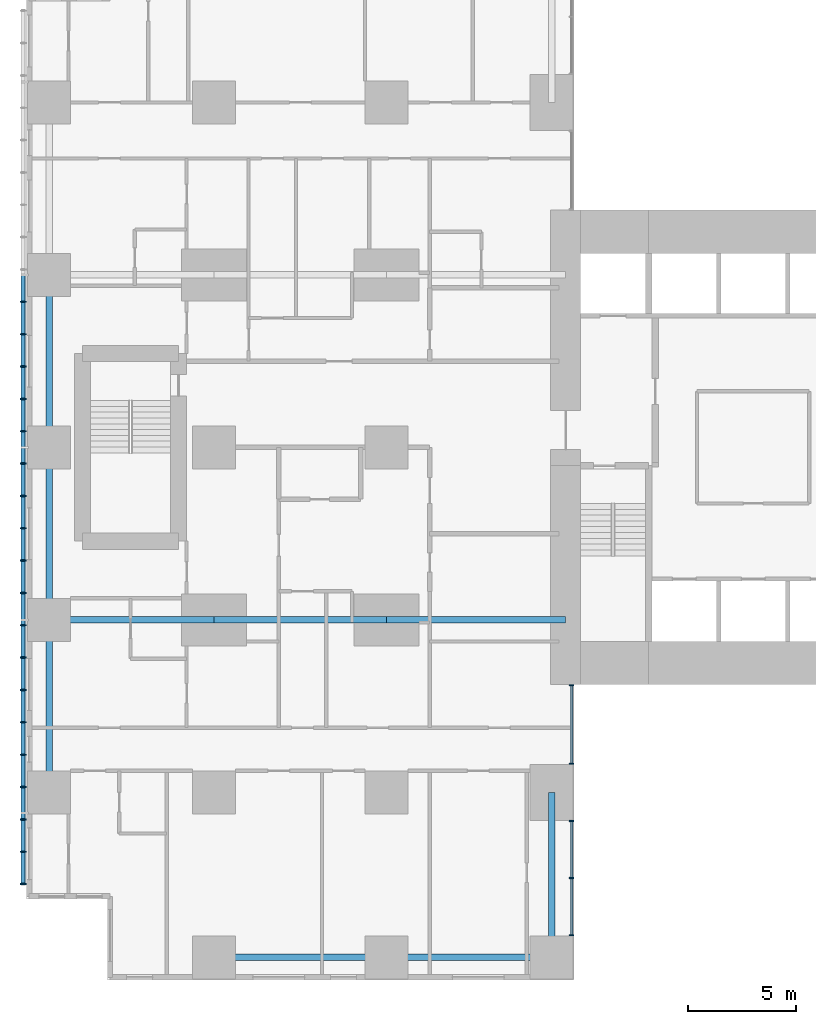
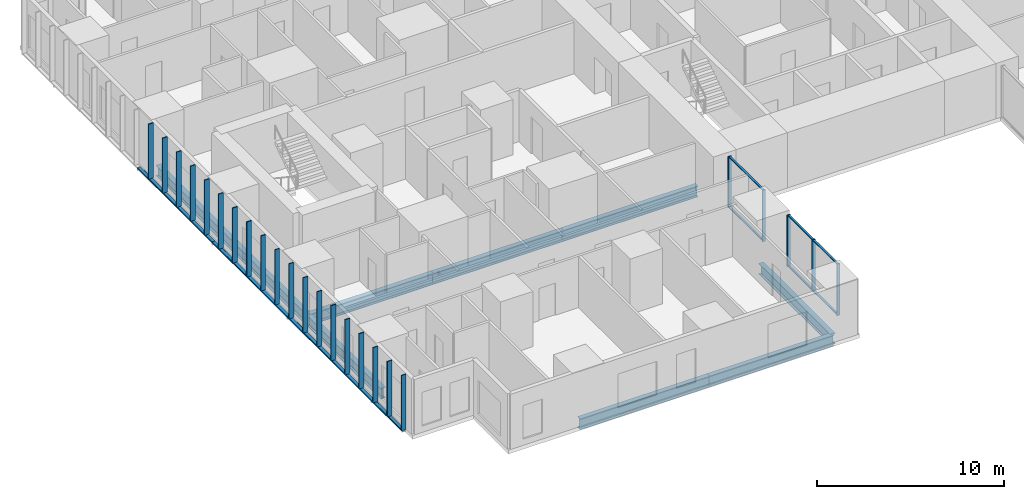
# One storey, part 2 of 20: 33 members, 9 beams, 2 elements without a shape of their own.
"""IFC4 building model written with IfcOpenShell, lengths in metres."""

import ifcopenshell
import ifcopenshell.guid

model = None  # the IFC model being written
_history = None  # IfcOwnerHistory: only IFC2X3 demands one
_inside = {}  # id of a spatial element -> (the spatial element, [elements in it])
_under = {}  # id of a project, library or spatial element -> (it, [spatial elements below it])
_declared = {}  # id of a project -> (the project, [libraries it declares])
_typed = {}  # id of a type object -> (the type object, [elements of that type])
_made_of = {}  # id of a material, layer set ... -> (it, [elements and type objects made of it])


def new_model(schema):
    """Start an empty IFC model of exactly this schema.

    Asked for "IFC4X3", IfcOpenShell would pick the latest addendum, in which some entities
    have other attributes; the version numbers below select the first issue.
    IFC2X3 requires an IfcOwnerHistory on every rooted entity: one is made here for all.
    """
    global model, _history
    if schema == "IFC4X3":
        model = ifcopenshell.file(schema_version=(4, 3, 0, 0))
    else:
        model = ifcopenshell.file(schema=schema)
    _inside.clear()
    _under.clear()
    _declared.clear()
    _typed.clear()
    _made_of.clear()
    _history = None
    if model.schema == "IFC2X3":
        org = make("IfcOrganization", Name="unknown")
        user = make(
            "IfcPersonAndOrganization",
            ThePerson=make("IfcPerson", FamilyName="unknown"),
            TheOrganization=org,
        )
        app = make(
            "IfcApplication",
            ApplicationDeveloper=org,
            Version="unknown",
            ApplicationFullName="unknown",
            ApplicationIdentifier="unknown",
        )
        _history = make(
            "IfcOwnerHistory",
            OwningUser=user,
            OwningApplication=app,
            ChangeAction="ADDED",
            CreationDate=0,
        )
    return model


def make(cls, **values):
    """One entity of the class cls with the attributes given. An attribute that is None is left unset."""
    return model.create_entity(
        cls, **{name: value for name, value in values.items() if value is not None}
    )


def rooted(cls, **values):
    """An entity with a GlobalId (a new one), such as an element, a storey or a relation."""
    return make(cls, GlobalId=ifcopenshell.guid.new(), OwnerHistory=_history, **values)


def si_unit(unit_type, name, prefix=None):
    """IfcSIUnit, for example si_unit("LENGTHUNIT", "METRE", prefix="MILLI")."""
    return make("IfcSIUnit", UnitType=unit_type, Prefix=prefix, Name=name)


def assignment(units):
    """IfcUnitAssignment: the units of a project."""
    return None if units is None else make("IfcUnitAssignment", Units=units)


def point(xyz):
    """IfcCartesianPoint."""
    return None if xyz is None else make("IfcCartesianPoint", Coordinates=xyz)


def direction(xyz):
    """IfcDirection."""
    return None if xyz is None else make("IfcDirection", DirectionRatios=xyz)


def frame(location, z_axis=None, x_axis=None):
    """IfcAxis2Placement3D, a coordinate frame: its origin and axes. An axis left out is left unset."""
    return make(
        "IfcAxis2Placement3D",
        Location=point(location),
        Axis=direction(z_axis),
        RefDirection=direction(x_axis),
    )


def frame_2d(location, x_axis=None):
    """IfcAxis2Placement2D, a coordinate frame in the plane: its origin and x axis."""
    return make(
        "IfcAxis2Placement2D", Location=point(location), RefDirection=direction(x_axis)
    )


def origin():
    """The frame at (0, 0, 0) with its axes left unset."""
    return frame((0.0, 0.0, 0.0))


def origin_2d():
    """The frame at (0, 0) in the plane with its x axis left unset."""
    return frame_2d((0.0, 0.0))


def place(relative_to, where):
    """IfcLocalPlacement: puts the frame where relative to a parent placement (None: the world)."""
    return make(
        "IfcLocalPlacement", PlacementRelTo=relative_to, RelativePlacement=where
    )


def context(
    kind, dimensions, precision=None, world=None, true_north=None, identifier=None
):
    """IfcGeometricRepresentationContext, for example the 3D "Model" context."""
    return make(
        "IfcGeometricRepresentationContext",
        ContextIdentifier=identifier,
        ContextType=kind,
        CoordinateSpaceDimension=dimensions,
        Precision=precision,
        WorldCoordinateSystem=world,
        TrueNorth=true_north,
    )


def subcontext(parent, identifier, kind, view, scale=None):
    """IfcGeometricRepresentationSubContext, for example "Body" below "Model"."""
    return make(
        "IfcGeometricRepresentationSubContext",
        ContextIdentifier=identifier,
        ContextType=kind,
        ParentContext=parent,
        TargetScale=scale,
        TargetView=view,
    )


def project(units=None, contexts=None):
    """IfcProject with its units and contexts."""
    return rooted(
        "IfcProject",
        Name="project",
        RepresentationContexts=contexts,
        UnitsInContext=assignment(units),
    )


def spatial(cls, under=None, at=None, **own):
    """A site, building, storey or space (cls), placed at a placement, below another one or the project."""
    s = rooted(cls, ObjectPlacement=at, **own)
    if under is not None:
        _under.setdefault(under.id(), (under, []))[1].append(s)
    return s


def profile(cls, at=None, kind="AREA", **sizes):
    """A parametric profile (cls). Its sizes go by their IFC names, for example OverallWidth=200.0."""
    return make(cls, ProfileType=kind, Position=at, **sizes)


def rectangle(**sizes):
    """IfcRectangleProfileDef."""
    return profile("IfcRectangleProfileDef", **sizes)


def hollow_rectangle(**sizes):
    """IfcRectangleHollowProfileDef."""
    return profile("IfcRectangleHollowProfileDef", **sizes)


def i_section(**sizes):
    """IfcIShapeProfileDef."""
    return profile("IfcIShapeProfileDef", **sizes)


def extrude(swept, where, along, depth):
    """IfcExtrudedAreaSolid: the profile swept, set in the frame where, extruded along a direction by depth."""
    return make(
        "IfcExtrudedAreaSolid",
        SweptArea=swept,
        Position=where,
        ExtrudedDirection=direction(along),
        Depth=depth,
    )


def shape(context_of_items, identifier, shape_type, items):
    """IfcShapeRepresentation: the items that make up one representation, for example the "Body"."""
    return make(
        "IfcShapeRepresentation",
        ContextOfItems=context_of_items,
        RepresentationIdentifier=identifier,
        RepresentationType=shape_type,
        Items=items,
    )


def material(Name=None, Category=None):
    """IfcMaterial."""
    return make("IfcMaterial", Name=Name, Category=Category)


def layer(
    of_material, thickness, ventilated=None, Name=None, Category=None, Priority=None
):
    """IfcMaterialLayer: one layer of a wall or slab, of a material (None: an air gap)."""
    return make(
        "IfcMaterialLayer",
        Material=of_material,
        LayerThickness=thickness,
        IsVentilated=ventilated,
        Name=Name,
        Category=Category,
        Priority=Priority,
    )


def layer_set(layers, Name=None):
    """IfcMaterialLayerSet."""
    return make("IfcMaterialLayerSet", MaterialLayers=layers, LayerSetName=Name)


def material_profile(
    of_material, cross_section, Name=None, Category=None, Priority=None
):
    """IfcMaterialProfile: a cross section and its material."""
    return make(
        "IfcMaterialProfile",
        Name=Name,
        Material=of_material,
        Profile=cross_section,
        Priority=Priority,
        Category=Category,
    )


def profile_set(profiles, Name=None, composite=None):
    """IfcMaterialProfileSet."""
    return make(
        "IfcMaterialProfileSet",
        Name=Name,
        MaterialProfiles=profiles,
        CompositeProfile=composite,
    )


def made_of(thing, what):
    """Note that an element or type object is made of a material, layer set ...; save() writes the relation."""
    if what is not None:
        _made_of.setdefault(what.id(), (what, []))[1].append(thing)
    return thing


def type_object(cls, material=None, **own):
    """A type object (cls), such as IfcWallType, which elements share."""
    return made_of(rooted(cls, **own), material)


def element(
    cls,
    number,
    at=None,
    inside=None,
    cuts=None,
    type_object=None,
    material=None,
    context=None,
    identifier="Body",
    shape_type=None,
    held_by="IfcProductDefinitionShape",
    body=None,
    shapes=None,
    **own,
):
    """One element of the class cls, such as IfcWall. Its Tag is "e" and its number.

    at: its placement. inside: the storey or other place that contains it. cuts: it is an
    opening in that element (IfcRelVoidsElement). A single representation is given by context,
    identifier, shape_type and body (its items); several are given by shapes. held_by: the class
    of the entity that holds the representations. save() writes the other relations.
    """
    e = rooted(cls, Tag="e%d" % number, ObjectPlacement=at, **own)
    if body is not None:
        shapes = [shape(context, identifier, shape_type, body)]
    if shapes is not None:
        e.Representation = make(held_by, Representations=shapes)
    if inside is not None:
        _inside.setdefault(inside.id(), (inside, []))[1].append(e)
    if cuts is not None:
        rooted(
            "IfcRelVoidsElement", RelatingBuildingElement=cuts, RelatedOpeningElement=e
        )
    if type_object is not None:
        _typed.setdefault(type_object.id(), (type_object, []))[1].append(e)
    return made_of(e, material)


def aggregate(whole, parts):
    """IfcRelAggregates: a whole, such as a stair, and the parts it consists of."""
    return rooted("IfcRelAggregates", RelatingObject=whole, RelatedObjects=parts)


def save(model, path):
    """Write the relations noted so far, then the file.

    IfcRelAggregates (storeys below a building ...), IfcRelContainedInSpatialStructure (elements
    in a storey), IfcRelDefinesByType, IfcRelAssociatesMaterial and IfcRelDeclares: one each for
    every whole, place, type object, material and project.
    """
    for whole, parts in _under.values():
        aggregate(whole, parts)
    for where, things in _inside.values():
        rooted(
            "IfcRelContainedInSpatialStructure",
            RelatedElements=things,
            RelatingStructure=where,
        )
    for kind, things in _typed.values():
        rooted("IfcRelDefinesByType", RelatedObjects=things, RelatingType=kind)
    for what, things in _made_of.values():
        rooted("IfcRelAssociatesMaterial", RelatedObjects=things, RelatingMaterial=what)
    for by, libraries in _declared.values():
        rooted("IfcRelDeclares", RelatingContext=by, RelatedDefinitions=libraries)
    model.write(path)


model = new_model("IFC4")

# Units and contexts
model_context = context("Model", 3, precision=1e-05, world=origin(), true_north=direction((0.0, 1.0)))
body_context = subcontext(model_context, "Body", "Model", "MODEL_VIEW")
ifc_project = project(units=[si_unit("LENGTHUNIT", "METRE"), si_unit("AREAUNIT", "SQUARE_METRE"), si_unit("VOLUMEUNIT", "CUBIC_METRE"), si_unit("PLANEANGLEUNIT", "RADIAN"), si_unit("MASSUNIT", "GRAM", prefix="KILO")], contexts=[model_context])

# Site, building, storey
site_placement = place(None, origin())
site = spatial("IfcSite", under=ifc_project, at=site_placement, CompositionType="ELEMENT")
building_placement = place(site_placement, origin())
building = spatial("IfcBuilding", under=site, at=building_placement, Name="Cleftline Residences", CompositionType="ELEMENT")
storey_placement = place(building_placement, frame((0.0, 0.0, 150.199951171875)))
storey = spatial("IfcBuildingStorey", under=building, at=storey_placement, Name="L39", CompositionType="ELEMENT", Elevation=150.199951171875)

# Members
ifc_material_1 = material(Name="Steel S355, hot-dip galvanised", Category="steel")
ifc_material_profile_1 = material_profile(ifc_material_1, hollow_rectangle(XDim=0.10009765625, YDim=0.199951171875, WallThickness=0.008056640625, InnerFilletRadius=0.008056640625, OuterFilletRadius=0.011962890625, at=origin_2d()))
ifc_profile_set_1 = profile_set([ifc_material_profile_1], Name="Steel S355, hot-dip galvanised")
member_type_1 = type_object("IfcMemberType", Name="BAGUETTE CARRIER RHS 200X100X8", PredefinedType="USERDEFINED", material=ifc_profile_set_1)
for number, where, z_axis, x_axis, name in (
    (1, (-0.85009765625, 32.0, -0.050048828125), (0.0, -1.0, 0.0), (0.0, 0.0, 1.0), "Baguette carrier"),
    (2, (-0.85009765625, 24.0, -0.050048828125), (0.0, -1.0, 0.0), (0.0, 0.0, 1.0), "Baguette carrier"),
):
    element("IfcMember", number, at=place(storey_placement, frame(where, z_axis=z_axis, x_axis=x_axis)), inside=storey, type_object=member_type_1, Name=name, ObjectType="BAGUETTE CARRIER", PredefinedType="USERDEFINED", context=body_context, shape_type="SweptSolid", body=[
        extrude(hollow_rectangle(XDim=0.10009765625, YDim=0.199951171875, WallThickness=0.008056640625, InnerFilletRadius=0.008056640625, OuterFilletRadius=0.011962890625, at=origin_2d()), origin(), (0.0, 0.0, 1.0), 8.0),
    ])
member_1_placement = place(storey_placement, frame((-0.85009765625, 16.0, -0.050048828125), z_axis=(0.0, -1.0, 0.0), x_axis=(0.0, 0.0, 1.0)))
element("IfcMember", 3, at=member_1_placement, inside=storey, type_object=member_type_1, Name="Baguette carrier", ObjectType="BAGUETTE CARRIER", PredefinedType="USERDEFINED", context=body_context, shape_type="SweptSolid", body=[
    extrude(hollow_rectangle(XDim=0.10009765625, YDim=0.199951171875, WallThickness=0.008056640625, InnerFilletRadius=0.008056640625, OuterFilletRadius=0.011962890625, at=origin_2d()), origin(), (0.0, 0.0, 1.0), 12.300048828125),
])

# Beams
ifc_material_2 = material(Name="Steel S355", Category="steel")
ifc_material_profile_2 = material_profile(ifc_material_2, i_section(OverallWidth=0.300048828125, OverallDepth=0.699951171875, WebThickness=0.01708984375, FlangeThickness=0.031982421875, FilletRadius=0.027099609375, at=origin_2d()))
ifc_profile_set_2 = profile_set([ifc_material_profile_2], Name="Steel S355")
beam_type_1 = type_object("IfcBeamType", Name="BEAM HEB 700", PredefinedType="BEAM", material=ifc_profile_set_2)
for number, where, z_axis, x_axis, name in (
    (4, (0.35009765625, 8.0, -0.599853515625), (0.0, 1.0, 0.0), (-1.0, 0.0, 0.0), "Edge beam"),
    (5, (0.35009765625, 16.0, -0.599853515625), (0.0, 1.0, 0.0), (-1.0, 0.0, 0.0), "Edge beam"),
    (6, (0.35009765625, 24.0, -0.599853515625), (0.0, 1.0, 0.0), (-1.0, 0.0, 0.0), "Edge beam"),
    (7, (8.0, 0.35009765625, -0.599853515625), (1.0, 0.0, 0.0), (0.0, 1.0, 0.0), "Edge beam"),
):
    element("IfcBeam", number, at=place(storey_placement, frame(where, z_axis=z_axis, x_axis=x_axis)), inside=storey, type_object=beam_type_1, Name=name, PredefinedType="BEAM", context=body_context, shape_type="SweptSolid", body=[
        extrude(i_section(OverallWidth=0.300048828125, OverallDepth=0.699951171875, WebThickness=0.01708984375, FlangeThickness=0.031982421875, FilletRadius=0.027099609375, at=origin_2d()), origin(), (0.0, 0.0, 1.0), 8.0),
    ])
for number, where, z_axis, x_axis, name in (
    (8, (16.0, 0.35009765625, -0.599853515625), (1.0, 0.0, 0.0), (0.0, 1.0, 0.0), "Edge beam"),
    (9, (23.64990234375, 0.35009765625, -0.599853515625), (0.0, 1.0, 0.0), (-1.0, 0.0, 0.0), "Edge beam"),
):
    element("IfcBeam", number, at=place(storey_placement, frame(where, z_axis=z_axis, x_axis=x_axis)), inside=storey, type_object=beam_type_1, Name=name, PredefinedType="BEAM", context=body_context, shape_type="SweptSolid", body=[
        extrude(i_section(OverallWidth=0.300048828125, OverallDepth=0.699951171875, WebThickness=0.01708984375, FlangeThickness=0.031982421875, FilletRadius=0.027099609375, at=origin_2d()), origin(), (0.0, 0.0, 1.0), 7.64990234375),
    ])
ifc_material_3 = material(Name="Steel S355", Category="steel")
ifc_material_profile_3 = material_profile(ifc_material_3, i_section(OverallWidth=0.303955078125, OverallDepth=0.716064453125, WebThickness=0.02099609375, FlangeThickness=0.0400390625, FilletRadius=0.027099609375, at=origin_2d()))
ifc_profile_set_3 = profile_set([ifc_material_profile_3], Name="Steel S355")
beam_type_2 = type_object("IfcBeamType", Name="BEAM HEM 700", PredefinedType="BEAM", material=ifc_profile_set_3)
beam_1_placement = place(storey_placement, frame((0.35009765625, 16.0, -0.60791015625), z_axis=(1.0, 0.0, 0.0), x_axis=(0.0, 1.0, 0.0)))
element("IfcBeam", 10, at=beam_1_placement, inside=storey, type_object=beam_type_2, Name="Band beam", PredefinedType="BEAM", context=body_context, shape_type="SweptSolid", body=[
    extrude(i_section(OverallWidth=0.303955078125, OverallDepth=0.716064453125, WebThickness=0.02099609375, FlangeThickness=0.0400390625, FilletRadius=0.027099609375, at=origin_2d()), origin(), (0.0, 0.0, 1.0), 7.64990234375),
])
beam_2_placement = place(storey_placement, frame((8.0, 16.0, -0.60791015625), z_axis=(1.0, 0.0, 0.0), x_axis=(0.0, 1.0, 0.0)))
element("IfcBeam", 11, at=beam_2_placement, inside=storey, type_object=beam_type_2, Name="Band beam", PredefinedType="BEAM", context=body_context, shape_type="SweptSolid", body=[
    extrude(i_section(OverallWidth=0.303955078125, OverallDepth=0.716064453125, WebThickness=0.02099609375, FlangeThickness=0.0400390625, FilletRadius=0.027099609375, at=origin_2d()), origin(), (0.0, 0.0, 1.0), 8.0),
])
beam_3_placement = place(storey_placement, frame((16.0, 16.0, -0.60791015625), z_axis=(1.0, 0.0, 0.0), x_axis=(0.0, 1.0, 0.0)))
element("IfcBeam", 12, at=beam_3_placement, inside=storey, type_object=beam_type_2, Name="Band beam", PredefinedType="BEAM", context=body_context, shape_type="SweptSolid", body=[
    extrude(i_section(OverallWidth=0.303955078125, OverallDepth=0.716064453125, WebThickness=0.02099609375, FlangeThickness=0.0400390625, FilletRadius=0.027099609375, at=origin_2d()), origin(), (0.0, 0.0, 1.0), 8.300048828125),
])

# Curtain wall, members
ifc_material_4 = material(Name="Aluminium framed curtain wall", Category="aluminium")
ifc_layer = layer(ifc_material_4, 0.199951171875)
ifc_layer_set = layer_set([ifc_layer], Name="CW1 CLEFT GLAZING")
curtain_wall_type = type_object("IfcCurtainWallType", Name="CW1 CLEFT GLAZING", PredefinedType="NOTDEFINED", material=ifc_layer_set)
curtain_wall_1_placement = place(storey_placement, origin())
curtain_wall_1 = element("IfcCurtainWall", 13, at=curtain_wall_1_placement, inside=storey, type_object=curtain_wall_type, Name="Curtain wall CW1", PredefinedType="NOTDEFINED")
ifc_material_5 = material(Name="Aluminium mullion", Category="aluminium")
ifc_material_profile_4 = material_profile(ifc_material_5, rectangle(XDim=0.199951171875, YDim=0.06005859375, at=origin_2d()))
ifc_profile_set_4 = profile_set([ifc_material_profile_4], Name="Aluminium mullion")
member_type_2 = type_object("IfcMemberType", Name="CW1 MULLION", PredefinedType="MULLION", material=ifc_profile_set_4)
member_2_placement = place(storey_placement, frame((24.574951171875, 1.3798828125, 0.0), z_axis=(0.0, 0.0, 1.0), x_axis=(-1.0, 0.0, 0.0)))
member_2 = element("IfcMember", 14, at=member_2_placement, type_object=member_type_2, Name="CW1 mullion 1", PredefinedType="MULLION", context=body_context, shape_type="SweptSolid", body=[
    extrude(rectangle(XDim=0.199951171875, YDim=0.06005859375, at=origin_2d()), origin(), (0.0, 0.0, 1.0), 3.35009765625),
])
member_3_placement = place(storey_placement, frame((24.574951171875, 4.02490234375, 0.0), z_axis=(0.0, 0.0, 1.0), x_axis=(-1.0, 0.0, 0.0)))
member_3 = element("IfcMember", 15, at=member_3_placement, type_object=member_type_2, Name="CW1 mullion 2", PredefinedType="MULLION", context=body_context, shape_type="SweptSolid", body=[
    extrude(rectangle(XDim=0.199951171875, YDim=0.06005859375, at=origin_2d()), origin(), (0.0, 0.0, 1.0), 3.35009765625),
])
member_4_placement = place(storey_placement, frame((24.574951171875, 6.669921875, 0.0), z_axis=(0.0, 0.0, 1.0), x_axis=(-1.0, 0.0, 0.0)))
member_4 = element("IfcMember", 16, at=member_4_placement, type_object=member_type_2, Name="CW1 mullion 3", PredefinedType="MULLION", context=body_context, shape_type="SweptSolid", body=[
    extrude(rectangle(XDim=0.199951171875, YDim=0.06005859375, at=origin_2d()), origin(), (0.0, 0.0, 1.0), 3.35009765625),
])

curtain_wall_2_placement = place(storey_placement, origin())
curtain_wall_2 = element("IfcCurtainWall", 17, at=curtain_wall_2_placement, inside=storey, type_object=curtain_wall_type, Name="Curtain wall CW1", PredefinedType="NOTDEFINED")
member_5_placement = place(storey_placement, frame((24.574951171875, 9.330078125, 0.0), z_axis=(0.0, 0.0, 1.0), x_axis=(-1.0, 0.0, 0.0)))
member_5 = element("IfcMember", 18, at=member_5_placement, type_object=member_type_2, Name="CW1 mullion 1", PredefinedType="MULLION", context=body_context, shape_type="SweptSolid", body=[
    extrude(rectangle(XDim=0.199951171875, YDim=0.06005859375, at=origin_2d()), origin(), (0.0, 0.0, 1.0), 3.35009765625),
])
member_6_placement = place(storey_placement, frame((24.574951171875, 12.969970703125, 0.0), z_axis=(0.0, 0.0, 1.0), x_axis=(-1.0, 0.0, 0.0)))
member_6 = element("IfcMember", 19, at=member_6_placement, type_object=member_type_2, Name="CW1 mullion 2", PredefinedType="MULLION", context=body_context, shape_type="SweptSolid", body=[
    extrude(rectangle(XDim=0.199951171875, YDim=0.06005859375, at=origin_2d()), origin(), (0.0, 0.0, 1.0), 3.35009765625),
])

# Member
ifc_material_6 = material(Name="Aluminium transom", Category="aluminium")
ifc_material_profile_5 = material_profile(ifc_material_6, rectangle(XDim=0.1201171875, YDim=0.06005859375, at=origin_2d()))
ifc_profile_set_5 = profile_set([ifc_material_profile_5], Name="Aluminium transom")
member_type_3 = type_object("IfcMemberType", Name="CW1 TRANSOM", PredefinedType="USERDEFINED", material=ifc_profile_set_5)
member_7_placement = place(storey_placement, frame((24.574951171875, 1.409912109375, 0.030029296875), z_axis=(0.0, 1.0, 0.0), x_axis=(-1.0, 0.0, 0.0)))
member_7 = element("IfcMember", 20, at=member_7_placement, type_object=member_type_3, Name="CW1 transom 1.1", ObjectType="TRANSOM", PredefinedType="USERDEFINED", context=body_context, shape_type="SweptSolid", body=[
    extrude(rectangle(XDim=0.1201171875, YDim=0.06005859375, at=origin_2d()), origin(), (0.0, 0.0, 1.0), 2.585205078125),
])

member_8_placement = place(storey_placement, frame((24.574951171875, 1.409912109375, 3.320068359375), z_axis=(0.0, 1.0, 0.0), x_axis=(-1.0, 0.0, 0.0)))
member_8 = element("IfcMember", 21, at=member_8_placement, type_object=member_type_3, Name="CW1 transom 1.2", ObjectType="TRANSOM", PredefinedType="USERDEFINED", context=body_context, shape_type="SweptSolid", body=[
    extrude(rectangle(XDim=0.1201171875, YDim=0.06005859375, at=origin_2d()), origin(), (0.0, 0.0, 1.0), 2.585205078125),
])

member_9_placement = place(storey_placement, frame((24.574951171875, 4.054931640625, 0.030029296875), z_axis=(0.0, 1.0, 0.0), x_axis=(-1.0, 0.0, 0.0)))
member_9 = element("IfcMember", 22, at=member_9_placement, type_object=member_type_3, Name="CW1 transom 2.1", ObjectType="TRANSOM", PredefinedType="USERDEFINED", context=body_context, shape_type="SweptSolid", body=[
    extrude(rectangle(XDim=0.1201171875, YDim=0.06005859375, at=origin_2d()), origin(), (0.0, 0.0, 1.0), 2.5849609375),
])

member_10_placement = place(storey_placement, frame((24.574951171875, 4.054931640625, 3.320068359375), z_axis=(0.0, 1.0, 0.0), x_axis=(-1.0, 0.0, 0.0)))
member_10 = element("IfcMember", 23, at=member_10_placement, type_object=member_type_3, Name="CW1 transom 2.2", ObjectType="TRANSOM", PredefinedType="USERDEFINED", context=body_context, shape_type="SweptSolid", body=[
    extrude(rectangle(XDim=0.1201171875, YDim=0.06005859375, at=origin_2d()), origin(), (0.0, 0.0, 1.0), 2.5849609375),
])

aggregate(curtain_wall_1, [member_2, member_3, member_4, member_7, member_8, member_9, member_10])

member_11_placement = place(storey_placement, frame((24.574951171875, 9.360107421875, 0.030029296875), z_axis=(0.0, 1.0, 0.0), x_axis=(-1.0, 0.0, 0.0)))
member_11 = element("IfcMember", 24, at=member_11_placement, type_object=member_type_3, Name="CW1 transom 1.1", ObjectType="TRANSOM", PredefinedType="USERDEFINED", context=body_context, shape_type="SweptSolid", body=[
    extrude(rectangle(XDim=0.1201171875, YDim=0.06005859375, at=origin_2d()), origin(), (0.0, 0.0, 1.0), 3.579833984375),
])

member_12_placement = place(storey_placement, frame((24.574951171875, 9.360107421875, 3.320068359375), z_axis=(0.0, 1.0, 0.0), x_axis=(-1.0, 0.0, 0.0)))
member_12 = element("IfcMember", 25, at=member_12_placement, type_object=member_type_3, Name="CW1 transom 1.2", ObjectType="TRANSOM", PredefinedType="USERDEFINED", context=body_context, shape_type="SweptSolid", body=[
    extrude(rectangle(XDim=0.1201171875, YDim=0.06005859375, at=origin_2d()), origin(), (0.0, 0.0, 1.0), 3.579833984375),
])

aggregate(curtain_wall_2, [member_5, member_6, member_11, member_12])

# Members
ifc_material_7 = material(Name="Extruded terracotta", Category="masonry")
ifc_material_profile_6 = material_profile(ifc_material_7, rectangle(XDim=0.06005859375, YDim=0.300048828125, at=origin_2d()))
ifc_profile_set_6 = profile_set([ifc_material_profile_6], Name="Extruded terracotta")
member_type_4 = type_object("IfcMemberType", Name="TERRACOTTA BAGUETTE 60X300", PredefinedType="USERDEFINED", material=ifc_profile_set_6)
for number, where, z_axis, x_axis, name in (
    (26, (-0.85009765625, 30.75, 0.0), (0.0, 0.0, 1.0), (0.0, 1.0, 0.0), "Terracotta baguette"),
    (27, (-0.85009765625, 29.25, 0.0), (0.0, 0.0, 1.0), (0.0, 1.0, 0.0), "Terracotta baguette"),
    (28, (-0.85009765625, 27.75, 0.0), (0.0, 0.0, 1.0), (0.0, 1.0, 0.0), "Terracotta baguette"),
    (29, (-0.85009765625, 26.25, 0.0), (0.0, 0.0, 1.0), (0.0, 1.0, 0.0), "Terracotta baguette"),
    (30, (-0.85009765625, 24.75, 0.0), (0.0, 0.0, 1.0), (0.0, 1.0, 0.0), "Terracotta baguette"),
    (31, (-0.85009765625, 23.25, 0.0), (0.0, 0.0, 1.0), (0.0, 1.0, 0.0), "Terracotta baguette"),
    (32, (-0.85009765625, 21.75, 0.0), (0.0, 0.0, 1.0), (0.0, 1.0, 0.0), "Terracotta baguette"),
    (33, (-0.85009765625, 20.25, 0.0), (0.0, 0.0, 1.0), (0.0, 1.0, 0.0), "Terracotta baguette"),
    (34, (-0.85009765625, 18.75, 0.0), (0.0, 0.0, 1.0), (0.0, 1.0, 0.0), "Terracotta baguette"),
    (35, (-0.85009765625, 17.25, 0.0), (0.0, 0.0, 1.0), (0.0, 1.0, 0.0), "Terracotta baguette"),
    (36, (-0.85009765625, 15.75, 0.0), (0.0, 0.0, 1.0), (0.0, 1.0, 0.0), "Terracotta baguette"),
    (37, (-0.85009765625, 14.25, 0.0), (0.0, 0.0, 1.0), (0.0, 1.0, 0.0), "Terracotta baguette"),
    (38, (-0.85009765625, 12.75, 0.0), (0.0, 0.0, 1.0), (0.0, 1.0, 0.0), "Terracotta baguette"),
    (39, (-0.85009765625, 11.25, 0.0), (0.0, 0.0, 1.0), (0.0, 1.0, 0.0), "Terracotta baguette"),
    (40, (-0.85009765625, 9.75, 0.0), (0.0, 0.0, 1.0), (0.0, 1.0, 0.0), "Terracotta baguette"),
    (41, (-0.85009765625, 8.25, 0.0), (0.0, 0.0, 1.0), (0.0, 1.0, 0.0), "Terracotta baguette"),
    (42, (-0.85009765625, 6.75, 0.0), (0.0, 0.0, 1.0), (0.0, 1.0, 0.0), "Terracotta baguette"),
    (43, (-0.85009765625, 5.25, 0.0), (0.0, 0.0, 1.0), (0.0, 1.0, 0.0), "Terracotta baguette"),
    (44, (-0.85009765625, 3.75, 0.0), (0.0, 0.0, 1.0), (0.0, 1.0, 0.0), "Terracotta baguette"),
):
    element("IfcMember", number, at=place(storey_placement, frame(where, z_axis=z_axis, x_axis=x_axis)), inside=storey, type_object=member_type_4, Name=name, ObjectType="BAGUETTE", PredefinedType="USERDEFINED", context=body_context, shape_type="SweptSolid", body=[
        extrude(rectangle(XDim=0.06005859375, YDim=0.300048828125, at=origin_2d()), origin(), (0.0, 0.0, 1.0), 3.60009765625),
    ])

save(model, "model.ifc")
